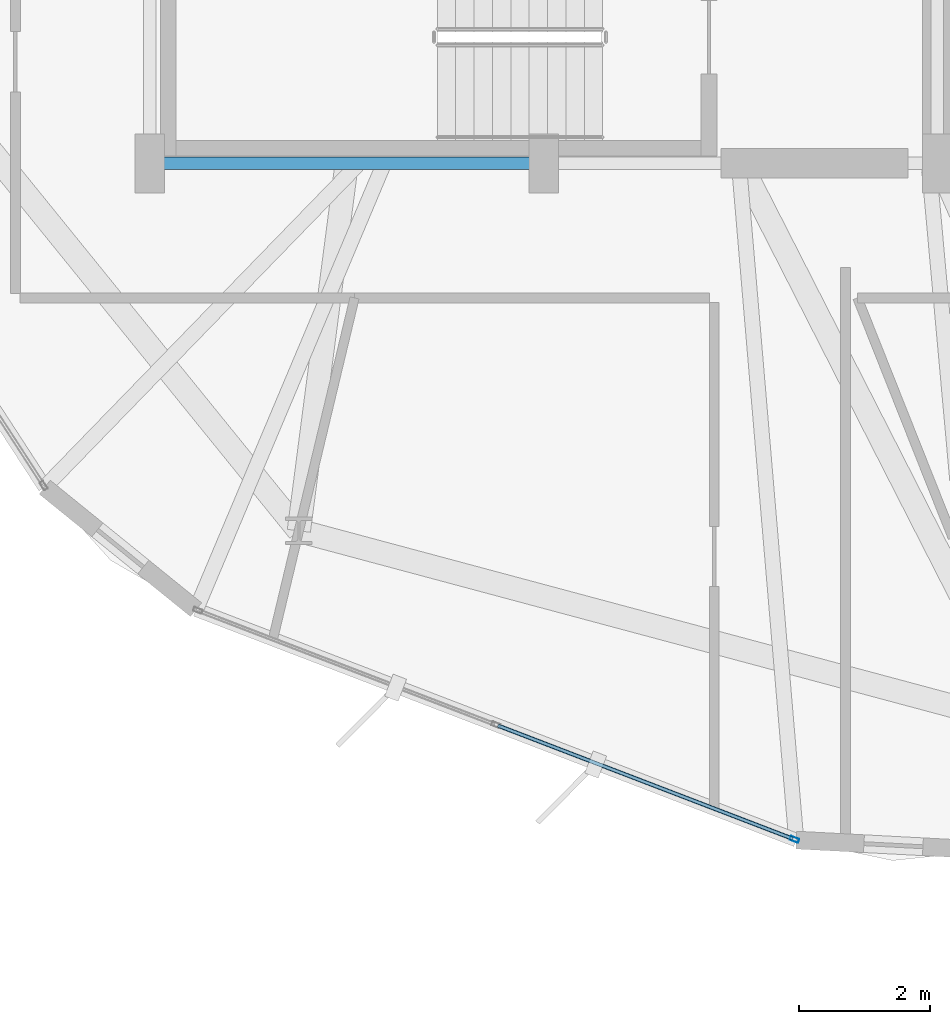
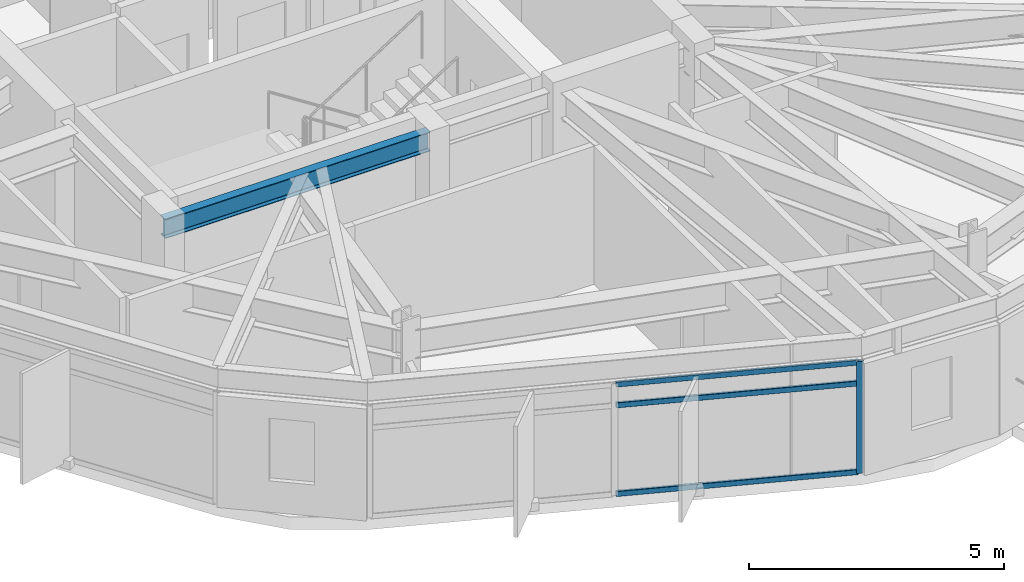
# One storey, part 4 of 29: 4 members, 1 beam, 1 element without a shape of its own.
"""IFC4 building model written with IfcOpenShell, lengths in metres."""

from ifc_helpers import new_model, si_unit, direction, frame, origin, origin_2d, place, context, subcontext, project, spatial, hollow_rectangle, i_section, extrude, material, layer, layer_set, material_profile, profile_set, type_object, element, aggregate, save


model = new_model("IFC4")

# Units and contexts
model_context = context("Model", 3, precision=1e-05, world=origin(), true_north=direction((0.0, 1.0)))
body_context = subcontext(model_context, "Body", "Model", "MODEL_VIEW")
ifc_project = project(units=[si_unit("LENGTHUNIT", "METRE"), si_unit("AREAUNIT", "SQUARE_METRE"), si_unit("VOLUMEUNIT", "CUBIC_METRE"), si_unit("PLANEANGLEUNIT", "RADIAN"), si_unit("MASSUNIT", "GRAM", prefix="KILO")], contexts=[model_context])

# Site, building, storey
site_placement = place(None, origin())
site = spatial("IfcSite", under=ifc_project, at=site_placement, CompositionType="ELEMENT")
building_placement = place(site_placement, origin())
building = spatial("IfcBuilding", under=site, at=building_placement, Name="Soratama Intermodal Tower", CompositionType="ELEMENT")
storey_placement = place(building_placement, frame((0.0, 0.0, 219.39990234375)))
storey = spatial("IfcBuildingStorey", under=building, at=storey_placement, Name="L55", CompositionType="ELEMENT", Elevation=219.39990234375)

# Beam
ifc_material_1 = material(Name="Structural steel ASTM A992 Grade 50", Category="steel")
ifc_material_profile_1 = material_profile(ifc_material_1, i_section(OverallWidth=0.19091796875, OverallDepth=0.4599609375, WebThickness=0.010009765625, FlangeThickness=0.01611328125, FilletRadius=0.010986328125, at=origin_2d()), Name="W18X55")
ifc_profile_set_1 = profile_set([ifc_material_profile_1], Name="Structural steel ASTM A992 Grade 50")
beam_type = type_object("IfcBeamType", Name="BM-FLR-W18X55", PredefinedType="BEAM", material=ifc_profile_set_1)
beam_placement = place(storey_placement, frame((32.60009765625, 15.0, 3.070068359375), z_axis=(1.0, 0.0, 0.0), x_axis=(0.0, 1.0, 0.0)))
element("IfcBeam", 1, at=beam_placement, inside=storey, type_object=beam_type, Name="BM-L55-CRING-01", PredefinedType="BEAM", context=body_context, shape_type="SweptSolid", body=[
    extrude(i_section(OverallWidth=0.19091796875, OverallDepth=0.4599609375, WebThickness=0.010009765625, FlangeThickness=0.01611328125, FilletRadius=0.010986328125, at=origin_2d()), origin(), (0.0, 0.0, 1.0), 6.0),
])

# Curtain wall, members
ifc_material_2 = material(Name="Double-glazed aluminium curtain wall", Category="aluminium")
ifc_layer = layer(ifc_material_2, 0.159912109375)
ifc_layer_set = layer_set([ifc_layer], Name="Double-glazed aluminium curtain wall")
curtain_wall_type = type_object("IfcCurtainWallType", Name="CW-SYS-5", PredefinedType="NOTDEFINED", material=ifc_layer_set)
curtain_wall_placement = place(storey_placement, origin())
curtain_wall = element("IfcCurtainWall", 2, at=curtain_wall_placement, inside=storey, type_object=curtain_wall_type, Name="L55 Faceted Curtain Wall F06", PredefinedType="NOTDEFINED")
ifc_material_3 = material(Name="Anodised aluminium AA 6063-T6", Category="aluminium")
ifc_material_profile_2 = material_profile(ifc_material_3, hollow_rectangle(XDim=0.06494140625, YDim=0.139892578125, WallThickness=0.0048828125, InnerFilletRadius=0.0048828125, OuterFilletRadius=0.010009765625, at=origin_2d()), Name="CWM140X65X5")
ifc_profile_set_2 = profile_set([ifc_material_profile_2], Name="Anodised aluminium AA 6063-T6")
member_type_1 = type_object("IfcMemberType", Name="MT-CWM-5", PredefinedType="MULLION", material=ifc_profile_set_2)
member_1_placement = place(storey_placement, frame((42.422119140625, 4.6982421875, 0.0), z_axis=(0.0, 0.0, 1.0), x_axis=(0.358358668826, 0.933583988978, 0.0)))
member_1 = element("IfcMember", 3, at=member_1_placement, type_object=member_type_1, Name="CW-5 mullion 3", PredefinedType="MULLION", context=body_context, shape_type="SweptSolid", body=[
    extrude(hollow_rectangle(XDim=0.06494140625, YDim=0.139892578125, WallThickness=0.0048828125, InnerFilletRadius=0.0048828125, OuterFilletRadius=0.010009765625, at=origin_2d()), origin(), (0.0, 0.0, 1.0), 2.67919921875),
])
ifc_material_4 = material(Name="Anodised aluminium AA 6063-T6", Category="aluminium")
ifc_material_profile_3 = material_profile(ifc_material_4, hollow_rectangle(XDim=0.06005859375, YDim=0.1298828125, WallThickness=0.0048828125, InnerFilletRadius=0.0048828125, OuterFilletRadius=0.010009765625, at=origin_2d()), Name="CWT130X60X5")
ifc_profile_set_3 = profile_set([ifc_material_profile_3], Name="Anodised aluminium AA 6063-T6")
member_type_2 = type_object("IfcMemberType", Name="TT-CWT-2", PredefinedType="USERDEFINED", material=ifc_profile_set_3)
member_2_placement = place(storey_placement, frame((37.90478515625, 6.432373046875, 0.030029296875), z_axis=(0.933578315891, -0.358373447815, 0.0), x_axis=(0.358373447815, 0.933578315891, 0.0)))
member_2 = element("IfcMember", 4, at=member_2_placement, type_object=member_type_2, Name="CW-5 transom 2.1", ObjectType="TRANSOM", PredefinedType="USERDEFINED", context=body_context, shape_type="SweptSolid", body=[
    extrude(hollow_rectangle(XDim=0.06005859375, YDim=0.1298828125, WallThickness=0.0048828125, InnerFilletRadius=0.0048828125, OuterFilletRadius=0.010009765625, at=origin_2d()), origin(), (0.0, 0.0, 1.0), 4.808837890625),
])
member_3_placement = place(storey_placement, frame((37.90478515625, 6.432373046875, 2.150146484375), z_axis=(0.933578315891, -0.358373447815, 0.0), x_axis=(0.358373447815, 0.933578315891, 0.0)))
member_3 = element("IfcMember", 5, at=member_3_placement, type_object=member_type_2, Name="CW-5 transom 2.2", ObjectType="TRANSOM", PredefinedType="USERDEFINED", context=body_context, shape_type="SweptSolid", body=[
    extrude(hollow_rectangle(XDim=0.06005859375, YDim=0.1298828125, WallThickness=0.0048828125, InnerFilletRadius=0.0048828125, OuterFilletRadius=0.010009765625, at=origin_2d()), origin(), (0.0, 0.0, 1.0), 4.808837890625),
])
member_4_placement = place(storey_placement, frame((37.90478515625, 6.432373046875, 2.649169921875), z_axis=(0.933578315891, -0.358373447815, 0.0), x_axis=(0.358373447815, 0.933578315891, 0.0)))
member_4 = element("IfcMember", 6, at=member_4_placement, type_object=member_type_2, Name="CW-5 transom 2.3", ObjectType="TRANSOM", PredefinedType="USERDEFINED", context=body_context, shape_type="SweptSolid", body=[
    extrude(hollow_rectangle(XDim=0.06005859375, YDim=0.1298828125, WallThickness=0.0048828125, InnerFilletRadius=0.0048828125, OuterFilletRadius=0.010009765625, at=origin_2d()), origin(), (0.0, 0.0, 1.0), 4.808837890625),
])
aggregate(curtain_wall, [member_1, member_2, member_3, member_4])

save(model, "model.ifc")
